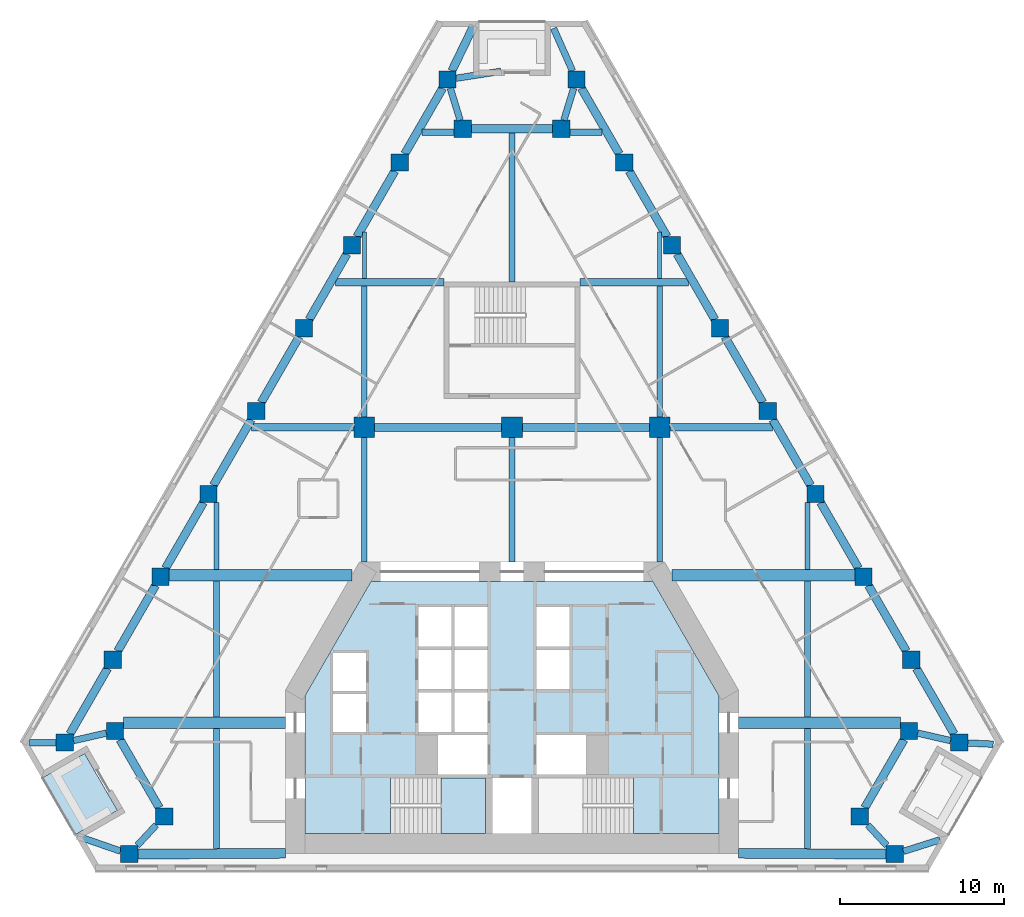
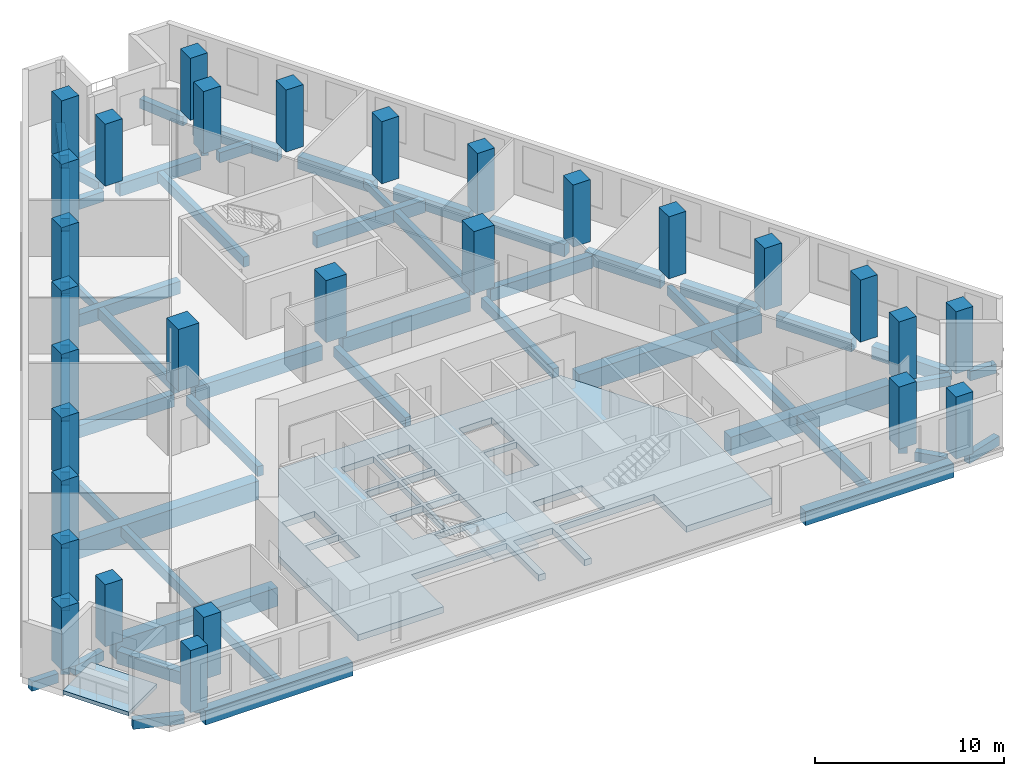
# One storey, part 1 of 10: 60 beams, 29 columns, 3 slabs, 1 element without a shape of its own.
"""IFC4 building model written with IfcOpenShell, lengths in metres."""

from ifc_helpers import new_model, si_unit, direction, frame, origin, origin_2d, place, context, subcontext, project, spatial, polyline, rectangle, outline, extrude, material, layer, layer_set, material_profile, profile_set, type_object, element, aggregate, save


model = new_model("IFC4")

# Units and contexts
model_context = context("Model", 3, precision=1e-05, world=origin(), true_north=direction((0.0, 1.0)))
body_context = subcontext(model_context, "Body", "Model", "MODEL_VIEW")
ifc_project = project(units=[si_unit("LENGTHUNIT", "METRE"), si_unit("AREAUNIT", "SQUARE_METRE"), si_unit("VOLUMEUNIT", "CUBIC_METRE"), si_unit("PLANEANGLEUNIT", "RADIAN"), si_unit("MASSUNIT", "GRAM", prefix="KILO")], contexts=[model_context])

# Site, building, storey
site_placement = place(None, origin())
site = spatial("IfcSite", under=ifc_project, at=site_placement, CompositionType="ELEMENT")
building_placement = place(site_placement, origin())
building = spatial("IfcBuilding", under=site, at=building_placement, Name="Fogline Exchange Tower", CompositionType="ELEMENT")
storey_placement = place(building_placement, frame((0.0, 0.0, 124.10009765625)))
storey = spatial("IfcBuildingStorey", under=building, at=storey_placement, Name="L27", CompositionType="ELEMENT", Elevation=124.10009765625)

# Columns
ifc_material_1 = material(Name="Concrete C70", Category="concrete")
ifc_material_profile_1 = material_profile(ifc_material_1, rectangle(XDim=1.25, YDim=1.25, at=origin_2d()), Name="RC 1250x1250")
ifc_profile_set_1 = profile_set([ifc_material_profile_1], Name="Concrete C70")
column_type_1 = type_object("IfcColumnType", Name="C03", PredefinedType="COLUMN", material=ifc_profile_set_1)
for number, where, z_axis, x_axis, name in (
    (1, (-9.0, 27.0, 0.0), (0.0, 0.0, 1.0), (1.0, 0.0, 0.0), "IC--9-27"),
    (2, (0.0, 27.0, 0.0), (0.0, 0.0, 1.0), (1.0, 0.0, 0.0), "IC-0-27"),
    (3, (9.0, 27.0, 0.0), (0.0, 0.0, 1.0), (1.0, 0.0, 0.0), "IC-9-27"),
):
    element("IfcColumn", number, at=place(storey_placement, frame(where, z_axis=z_axis, x_axis=x_axis)), inside=storey, type_object=column_type_1, Name=name, PredefinedType="COLUMN", context=body_context, shape_type="SweptSolid", body=[
        extrude(rectangle(XDim=1.25, YDim=1.25, at=origin_2d()), origin(), (0.0, 0.0, 1.0), 4.0),
    ])
ifc_material_profile_2 = material_profile(ifc_material_1, rectangle(XDim=1.050048828125, YDim=1.050048828125, at=origin_2d()), Name="RC 1050x1050")
ifc_profile_set_2 = profile_set([ifc_material_profile_2], Name="Concrete C70")
column_type_2 = type_object("IfcColumnType", Name="C04", PredefinedType="COLUMN", material=ifc_profile_set_2)
for number, where, z_axis, x_axis, name in (
    (4, (-27.2490234375, 7.794189453125, 0.0), (0.0, 0.0, 1.0), (1.0, 0.0, 0.0), "SW-a"),
    (5, (-24.189697265625, 8.4951171875, 0.0), (0.0, 0.0, 1.0), (1.0, 0.0, 0.0), "SW-p4"),
    (6, (-21.189697265625, 3.299072265625, 0.0), (0.0, 0.0, 1.0), (1.0, 0.0, 0.0), "SW-p3"),
    (7, (-23.326416015625, 1.0, 0.0), (0.0, 0.0, 1.0), (1.0, 0.0, 0.0), "SW-b"),
    (8, (23.326416015625, 1.0, 0.0), (0.0, 0.0, 1.0), (1.0, 0.0, 0.0), "SE-a"),
    (9, (21.189697265625, 3.299072265625, 0.0), (0.0, 0.0, 1.0), (1.0, 0.0, 0.0), "SE-p4"),
    (10, (24.189697265625, 8.4951171875, 0.0), (0.0, 0.0, 1.0), (1.0, 0.0, 0.0), "SE-p3"),
    (11, (27.2490234375, 7.794189453125, 0.0), (0.0, 0.0, 1.0), (1.0, 0.0, 0.0), "SE-b"),
    (12, (24.333251953125, 12.844482421875, 0.0), (0.0, 0.0, 1.0), (1.0, 0.0, 0.0), "E1"),
    (13, (21.41748046875, 17.894775390625, 0.0), (0.0, 0.0, 1.0), (1.0, 0.0, 0.0), "E2"),
    (14, (18.501708984375, 22.945068359375, 0.0), (0.0, 0.0, 1.0), (1.0, 0.0, 0.0), "E3"),
    (15, (15.585693359375, 27.995361328125, 0.0), (0.0, 0.0, 1.0), (1.0, 0.0, 0.0), "E4"),
    (16, (12.669921875, 33.045654296875, 0.0), (0.0, 0.0, 1.0), (1.0, 0.0, 0.0), "E5"),
    (17, (9.754150390625, 38.095947265625, 0.0), (0.0, 0.0, 1.0), (1.0, 0.0, 0.0), "E6"),
    (18, (6.83837890625, 43.146240234375, 0.0), (0.0, 0.0, 1.0), (1.0, 0.0, 0.0), "E7"),
    (19, (3.922607421875, 48.19677734375, 0.0), (0.0, 0.0, 1.0), (1.0, 0.0, 0.0), "N-a"),
    (20, (3.0, 45.19677734375, 0.0), (0.0, 0.0, 1.0), (1.0, 0.0, 0.0), "N-p4"),
    (21, (-3.0, 45.19677734375, 0.0), (0.0, 0.0, 1.0), (1.0, 0.0, 0.0), "N-p3"),
    (22, (-3.922607421875, 48.19677734375, 0.0), (0.0, 0.0, 1.0), (1.0, 0.0, 0.0), "N-b"),
    (23, (-6.83837890625, 43.146240234375, 0.0), (0.0, 0.0, 1.0), (1.0, 0.0, 0.0), "W1"),
    (24, (-9.754150390625, 38.095947265625, 0.0), (0.0, 0.0, 1.0), (1.0, 0.0, 0.0), "W2"),
    (25, (-12.669921875, 33.045654296875, 0.0), (0.0, 0.0, 1.0), (1.0, 0.0, 0.0), "W3"),
    (26, (-15.585693359375, 27.995361328125, 0.0), (0.0, 0.0, 1.0), (1.0, 0.0, 0.0), "W4"),
    (27, (-18.501708984375, 22.945068359375, 0.0), (0.0, 0.0, 1.0), (1.0, 0.0, 0.0), "W5"),
    (28, (-21.41748046875, 17.894775390625, 0.0), (0.0, 0.0, 1.0), (1.0, 0.0, 0.0), "W6"),
    (29, (-24.333251953125, 12.844482421875, 0.0), (0.0, 0.0, 1.0), (1.0, 0.0, 0.0), "W7"),
):
    element("IfcColumn", number, at=place(storey_placement, frame(where, z_axis=z_axis, x_axis=x_axis)), inside=storey, type_object=column_type_2, Name=name, PredefinedType="COLUMN", context=body_context, shape_type="SweptSolid", body=[
        extrude(rectangle(XDim=1.050048828125, YDim=1.050048828125, at=origin_2d()), origin(), (0.0, 0.0, 1.0), 4.0),
    ])

# Beams
ifc_material_2 = material(Name="Concrete C40", Category="concrete")
ifc_material_profile_3 = material_profile(ifc_material_2, rectangle(XDim=0.300048828125, YDim=0.60009765625, at=origin_2d()), Name="RC 300x600")
ifc_profile_set_3 = profile_set([ifc_material_profile_3], Name="Concrete C40")
beam_type_1 = type_object("IfcBeamType", Name="B06", PredefinedType="BEAM", material=ifc_profile_set_3)
for number, where, z_axis, x_axis, name in (
    (30, (-18.0, 18.35009765625, -0.7001953125), (0.0, 1.0, 0.0), (-1.0, 0.0, 0.0), "SB003"),
    (31, (18.0, 18.35009765625, -0.7001953125), (0.0, 1.0, 0.0), (-1.0, 0.0, 0.0), "SB014"),
):
    element("IfcBeam", number, at=place(storey_placement, frame(where, z_axis=z_axis, x_axis=x_axis)), inside=storey, type_object=beam_type_1, Name=name, PredefinedType="BEAM", context=body_context, shape_type="SweptSolid", body=[
        extrude(rectangle(XDim=0.300048828125, YDim=0.60009765625, at=origin_2d()), origin(), (0.0, 0.0, 1.0), 4.070068359375),
    ])
ifc_material_profile_4 = material_profile(ifc_material_2, rectangle(XDim=0.25, YDim=0.5, at=origin_2d()), Name="RC 250x500")
ifc_profile_set_4 = profile_set([ifc_material_profile_4], Name="Concrete C40")
beam_type_2 = type_object("IfcBeamType", Name="B08", PredefinedType="BEAM", material=ifc_profile_set_4)
for number, where, z_axis, x_axis, name in (
    (32, (-9.0, 36.08203125, -0.650146484375), (0.0, 1.0, 0.0), (-1.0, 0.0, 0.0), "SB006"),
    (33, (9.0, 36.08203125, -0.650146484375), (0.0, 1.0, 0.0), (-1.0, 0.0, 0.0), "SB011"),
):
    element("IfcBeam", number, at=place(storey_placement, frame(where, z_axis=z_axis, x_axis=x_axis)), inside=storey, type_object=beam_type_2, Name=name, PredefinedType="BEAM", context=body_context, shape_type="SweptSolid", body=[
        extrude(rectangle(XDim=0.25, YDim=0.5, at=origin_2d()), origin(), (0.0, 0.0, 1.0), 2.8203125),
    ])
ifc_material_profile_5 = material_profile(ifc_material_2, rectangle(XDim=0.60009765625, YDim=0.89990234375, at=origin_2d()), Name="RC 600x900")
ifc_profile_set_5 = profile_set([ifc_material_profile_5], Name="Concrete C40")
beam_type_3 = type_object("IfcBeamType", Name="B09", PredefinedType="BEAM", material=ifc_profile_set_5)
for number, where, z_axis, x_axis, name in (
    (34, (-22.801513671875, 1.0, -0.85009765625), (0.999984543136, 0.005559990001, 0.0), (-0.005559990001, 0.999984543136, 0.0), "RB004"),
    (35, (13.800048828125, 1.050048828125, -0.85009765625), (0.999984543136, -0.005559990001, 0.0), (0.005559990001, 0.999984543136, 0.0), "RB005"),
):
    element("IfcBeam", number, at=place(storey_placement, frame(where, z_axis=z_axis, x_axis=x_axis)), inside=storey, type_object=beam_type_3, Name=name, PredefinedType="BEAM", context=body_context, shape_type="SweptSolid", body=[
        extrude(rectangle(XDim=0.60009765625, YDim=0.89990234375, at=origin_2d()), origin(), (0.0, 0.0, 1.0), 9.001708984375),
    ])
ifc_material_profile_6 = material_profile(ifc_material_2, rectangle(XDim=0.5, YDim=0.800048828125, at=origin_2d()), Name="RC 500x800")
ifc_profile_set_6 = profile_set([ifc_material_profile_6], Name="Concrete C40")
beam_type_4 = type_object("IfcBeamType", Name="B10", PredefinedType="BEAM", material=ifc_profile_set_6)
for number, where, z_axis, x_axis, name in (
    (36, (-23.886474609375, 7.97021484375, -0.800048828125), (0.499994660107, -0.866028486751, 0.0), (0.866028486751, 0.499994660107, 0.0), "RB002"),
    (37, (21.49267578125, 3.823974609375, -0.800048828125), (0.499994660107, 0.866028486751, 0.0), (-0.866028486751, 0.499994660107, 0.0), "RB007"),
):
    element("IfcBeam", number, at=place(storey_placement, frame(where, z_axis=z_axis, x_axis=x_axis)), inside=storey, type_object=beam_type_4, Name=name, PredefinedType="BEAM", context=body_context, shape_type="SweptSolid", body=[
        extrude(rectangle(XDim=0.5, YDim=0.800048828125, at=origin_2d()), origin(), (0.0, 0.0, 1.0), 4.78759765625),
    ])
for number, where, z_axis, x_axis, name in (
    (38, (26.94580078125, 8.319091796875, -0.800048828125), (-0.499981705991, 0.866035965578, 0.0), (-0.866035965578, -0.499981705991, 0.0), "RB009"),
    (39, (24.030029296875, 13.369384765625, -0.800048828125), (-0.499981705991, 0.866035965578, 0.0), (-0.866035965578, -0.499981705991, 0.0), "RB010"),
):
    element("IfcBeam", number, at=place(storey_placement, frame(where, z_axis=z_axis, x_axis=x_axis)), inside=storey, type_object=beam_type_4, Name=name, PredefinedType="BEAM", context=body_context, shape_type="SweptSolid", body=[
        extrude(rectangle(XDim=0.5, YDim=0.800048828125, at=origin_2d()), origin(), (0.0, 0.0, 1.0), 4.619384765625),
    ])
for number, where, z_axis, x_axis, name in (
    (40, (21.1142578125, 18.419921875, -0.800048828125), (-0.500004591975, 0.86602275259, 0.0), (-0.86602275259, -0.500004591975, 0.0), "RB011"),
    (41, (18.198486328125, 23.47021484375, -0.800048828125), (-0.500004591975, 0.86602275259, 0.0), (-0.86602275259, -0.500004591975, 0.0), "RB012"),
    (42, (15.28271484375, 28.5205078125, -0.800048828125), (-0.500004591975, 0.86602275259, 0.0), (-0.86602275259, -0.500004591975, 0.0), "RB013"),
    (43, (12.366943359375, 33.57080078125, -0.800048828125), (-0.500004591975, 0.86602275259, 0.0), (-0.86602275259, -0.500004591975, 0.0), "RB014"),
    (44, (9.451171875, 38.62109375, -0.800048828125), (-0.500004591975, 0.86602275259, 0.0), (-0.86602275259, -0.500004591975, 0.0), "RB015"),
    (45, (6.535400390625, 43.67138671875, -0.800048828125), (-0.500004591975, 0.86602275259, 0.0), (-0.86602275259, -0.500004591975, 0.0), "RB016"),
):
    element("IfcBeam", number, at=place(storey_placement, frame(where, z_axis=z_axis, x_axis=x_axis)), inside=storey, type_object=beam_type_4, Name=name, PredefinedType="BEAM", context=body_context, shape_type="SweptSolid", body=[
        extrude(rectangle(XDim=0.5, YDim=0.800048828125, at=origin_2d()), origin(), (0.0, 0.0, 1.0), 4.619140625),
    ])
beam_1_placement = place(storey_placement, frame((2.47509765625, 45.19677734375, -0.800048828125), z_axis=(-1.0, 0.0, 0.0), x_axis=(0.0, -1.0, 0.0)))
element("IfcBeam", 46, at=beam_1_placement, inside=storey, type_object=beam_type_4, Name="RB018", PredefinedType="BEAM", context=body_context, shape_type="SweptSolid", body=[
    extrude(rectangle(XDim=0.5, YDim=0.800048828125, at=origin_2d()), origin(), (0.0, 0.0, 1.0), 4.9501953125),
])
for number, where, z_axis, x_axis, name in (
    (47, (-4.225830078125, 47.671630859375, -0.800048828125), (-0.500004591975, -0.86602275259, 0.0), (0.86602275259, -0.500004591975, 0.0), "RB020"),
    (48, (-7.1416015625, 42.621337890625, -0.800048828125), (-0.500004591975, -0.86602275259, 0.0), (0.86602275259, -0.500004591975, 0.0), "RB021"),
    (49, (-10.057373046875, 37.571044921875, -0.800048828125), (-0.500004591975, -0.86602275259, 0.0), (0.86602275259, -0.500004591975, 0.0), "RB022"),
    (50, (-12.97314453125, 32.520751953125, -0.800048828125), (-0.500004591975, -0.86602275259, 0.0), (0.86602275259, -0.500004591975, 0.0), "RB023"),
    (51, (-15.888916015625, 27.470458984375, -0.800048828125), (-0.500004591975, -0.86602275259, 0.0), (0.86602275259, -0.500004591975, 0.0), "RB024"),
    (52, (-18.8046875, 22.420166015625, -0.800048828125), (-0.500004591975, -0.86602275259, 0.0), (0.86602275259, -0.500004591975, 0.0), "RB025"),
):
    element("IfcBeam", number, at=place(storey_placement, frame(where, z_axis=z_axis, x_axis=x_axis)), inside=storey, type_object=beam_type_4, Name=name, PredefinedType="BEAM", context=body_context, shape_type="SweptSolid", body=[
        extrude(rectangle(XDim=0.5, YDim=0.800048828125, at=origin_2d()), origin(), (0.0, 0.0, 1.0), 4.619140625),
    ])
for number, where, z_axis, x_axis, name in (
    (53, (-21.720458984375, 17.369873046875, -0.800048828125), (-0.499981705991, -0.866035965578, 0.0), (0.866035965578, -0.499981705991, 0.0), "RB026"),
    (54, (-24.63623046875, 12.319580078125, -0.800048828125), (-0.499981705991, -0.866035965578, 0.0), (0.866035965578, -0.499981705991, 0.0), "RB027"),
):
    element("IfcBeam", number, at=place(storey_placement, frame(where, z_axis=z_axis, x_axis=x_axis)), inside=storey, type_object=beam_type_4, Name=name, PredefinedType="BEAM", context=body_context, shape_type="SweptSolid", body=[
        extrude(rectangle(XDim=0.5, YDim=0.800048828125, at=origin_2d()), origin(), (0.0, 0.0, 1.0), 4.619384765625),
    ])
beam_2_placement = place(storey_placement, frame((-3.66845703125, 48.7216796875, -0.800048828125), z_axis=(0.435646731916, 0.900117728395, 0.0), x_axis=(-0.900117728395, 0.435646731916, 0.0)))
element("IfcBeam", 55, at=beam_2_placement, inside=storey, type_object=beam_type_4, Name="SP028", PredefinedType="BEAM", context=body_context, shape_type="SweptSolid", body=[
    extrude(rectangle(XDim=0.5, YDim=0.800048828125, at=origin_2d()), origin(), (0.0, 0.0, 1.0), 3.049072265625),
])
ifc_material_profile_7 = material_profile(ifc_material_2, rectangle(XDim=0.39990234375, YDim=0.60009765625, at=origin_2d()), Name="RC 400x600")
ifc_profile_set_7 = profile_set([ifc_material_profile_7], Name="Concrete C40")
beam_type_5 = type_object("IfcBeamType", Name="B11", PredefinedType="BEAM", material=ifc_profile_set_7)
beam_3_placement = place(storey_placement, frame((-26.72412109375, 7.91455078125, -0.7001953125), z_axis=(0.974739301343, 0.223345683676, 0.0), x_axis=(-0.223345683676, 0.974739301343, 0.0)))
element("IfcBeam", 56, at=beam_3_placement, inside=storey, type_object=beam_type_5, Name="RB001", PredefinedType="BEAM", context=body_context, shape_type="SweptSolid", body=[
    extrude(rectangle(XDim=0.39990234375, YDim=0.60009765625, at=origin_2d()), origin(), (0.0, 0.0, 1.0), 2.0615234375),
])
for number, where, z_axis, x_axis, name in (
    (57, (-21.677490234375, 2.77392578125, -0.7001953125), (-0.680791505026, -0.732477253357, 0.0), (0.732477253357, -0.680791505026, 0.0), "RB003"),
    (58, (22.83837890625, 1.52490234375, -0.7001953125), (-0.680791505026, 0.732477253357, 0.0), (-0.732477253357, -0.680791505026, 0.0), "RB006"),
):
    element("IfcBeam", number, at=place(storey_placement, frame(where, z_axis=z_axis, x_axis=x_axis)), inside=storey, type_object=beam_type_5, Name=name, PredefinedType="BEAM", context=body_context, shape_type="SweptSolid", body=[
        extrude(rectangle(XDim=0.39990234375, YDim=0.60009765625, at=origin_2d()), origin(), (0.0, 0.0, 1.0), 1.705322265625),
    ])
beam_4_placement = place(storey_placement, frame((24.714599609375, 8.375, -0.7001953125), z_axis=(0.974739301343, -0.223345683676, 0.0), x_axis=(0.223345683676, 0.974739301343, 0.0)))
element("IfcBeam", 59, at=beam_4_placement, inside=storey, type_object=beam_type_5, Name="RB008", PredefinedType="BEAM", context=body_context, shape_type="SweptSolid", body=[
    extrude(rectangle(XDim=0.39990234375, YDim=0.60009765625, at=origin_2d()), origin(), (0.0, 0.0, 1.0), 2.0615234375),
])
for number, where, z_axis, x_axis, name in (
    (60, (3.76123046875, 47.671630859375, -0.7001953125), (-0.293917654764, -0.955830744545, 0.0), (0.955830744545, -0.293917654764, 0.0), "RB017"),
    (61, (-3.16162109375, 45.7216796875, -0.7001953125), (-0.293917654764, 0.955830744545, 0.0), (-0.955830744545, -0.293917654764, 0.0), "RB019"),
):
    element("IfcBeam", number, at=place(storey_placement, frame(where, z_axis=z_axis, x_axis=x_axis)), inside=storey, type_object=beam_type_5, Name=name, PredefinedType="BEAM", context=body_context, shape_type="SweptSolid", body=[
        extrude(rectangle(XDim=0.39990234375, YDim=0.60009765625, at=origin_2d()), origin(), (0.0, 0.0, 1.0), 2.0400390625),
    ])
beam_5_placement = place(storey_placement, frame((3.68896484375, 48.7216796875, -0.7001953125), z_axis=(-0.40658448242, 0.913613188749, 0.0), x_axis=(-0.913613188749, -0.40658448242, 0.0)))
element("IfcBeam", 62, at=beam_5_placement, inside=storey, type_object=beam_type_5, Name="SP029", PredefinedType="BEAM", context=body_context, shape_type="SweptSolid", body=[
    extrude(rectangle(XDim=0.39990234375, YDim=0.60009765625, at=origin_2d()), origin(), (0.0, 0.0, 1.0), 2.84375),
])
beam_6_placement = place(storey_placement, frame((-23.851318359375, 1.181884765625, -0.7001953125), z_axis=(-0.944879115194, 0.327419391102, 0.0), x_axis=(-0.327419391102, -0.944879115194, 0.0)))
element("IfcBeam", 63, at=beam_6_placement, inside=storey, type_object=beam_type_5, Name="SP030", PredefinedType="BEAM", context=body_context, shape_type="SweptSolid", body=[
    extrude(rectangle(XDim=0.39990234375, YDim=0.60009765625, at=origin_2d()), origin(), (0.0, 0.0, 1.0), 2.769287109375),
])
beam_7_placement = place(storey_placement, frame((23.851318359375, 1.166259765625, -0.7001953125), z_axis=(0.953366709253, 0.301814376211, 0.0), x_axis=(-0.301814376211, 0.953366709253, 0.0)))
element("IfcBeam", 64, at=beam_7_placement, inside=storey, type_object=beam_type_5, Name="SP031", PredefinedType="BEAM", context=body_context, shape_type="SweptSolid", body=[
    extrude(rectangle(XDim=0.39990234375, YDim=0.60009765625, at=origin_2d()), origin(), (0.0, 0.0, 1.0), 2.343505859375),
])
beam_8_placement = place(storey_placement, frame((-3.397705078125, 48.278076171875, -0.7001953125), z_axis=(0.988195883349, 0.153195613943, 0.0), x_axis=(-0.153195613943, 0.988195883349, 0.0)))
element("IfcBeam", 65, at=beam_8_placement, inside=storey, type_object=beam_type_5, Name="SP032", PredefinedType="BEAM", context=body_context, shape_type="SweptSolid", body=[
    extrude(rectangle(XDim=0.39990234375, YDim=0.60009765625, at=origin_2d()), origin(), (0.0, 0.0, 1.0), 2.75537109375),
])
beam_9_placement = place(storey_placement, frame((-27.77392578125, 7.794189453125, -0.7001953125), z_axis=(-1.0, 0.0, 0.0), x_axis=(0.0, -1.0, 0.0)))
element("IfcBeam", 66, at=beam_9_placement, inside=storey, type_object=beam_type_5, Name="SP033", PredefinedType="BEAM", context=body_context, shape_type="SweptSolid", body=[
    extrude(rectangle(XDim=0.39990234375, YDim=0.60009765625, at=origin_2d()), origin(), (0.0, 0.0, 1.0), 1.619384765625),
])
beam_10_placement = place(storey_placement, frame((27.77392578125, 7.76953125, -0.7001953125), z_axis=(0.99890029797, -0.046884909245, 0.0), x_axis=(0.046884909245, 0.99890029797, 0.0)))
element("IfcBeam", 67, at=beam_10_placement, inside=storey, type_object=beam_type_5, Name="SP034", PredefinedType="BEAM", context=body_context, shape_type="SweptSolid", body=[
    extrude(rectangle(XDim=0.39990234375, YDim=0.60009765625, at=origin_2d()), origin(), (0.0, 0.0, 1.0), 1.5517578125),
])
ifc_material_profile_8 = material_profile(ifc_material_2, rectangle(XDim=0.39990234375, YDim=0.64990234375, at=origin_2d()), Name="RC 400x650")
ifc_profile_set_8 = profile_set([ifc_material_profile_8], Name="Concrete C40")
beam_type_6 = type_object("IfcBeamType", Name="B13", PredefinedType="BEAM", material=ifc_profile_set_8)
for number, where, z_axis, x_axis, name in (
    (68, (-5.4794921875, 45.0, -0.72509765625), (1.0, 0.0, 0.0), (0.0, 1.0, 0.0), "GB011"),
    (69, (3.52490234375, 45.0, -0.72509765625), (1.0, 0.0, 0.0), (0.0, 1.0, 0.0), "GB012"),
):
    element("IfcBeam", number, at=place(storey_placement, frame(where, z_axis=z_axis, x_axis=x_axis)), inside=storey, type_object=beam_type_6, Name=name, PredefinedType="BEAM", context=body_context, shape_type="SweptSolid", body=[
        extrude(rectangle(XDim=0.39990234375, YDim=0.64990234375, at=origin_2d()), origin(), (0.0, 0.0, 1.0), 1.95458984375),
    ])
ifc_material_profile_9 = material_profile(ifc_material_2, rectangle(XDim=0.5, YDim=0.949951171875, at=origin_2d()), Name="RC 500x950")
ifc_profile_set_9 = profile_set([ifc_material_profile_9], Name="Concrete C40")
beam_type_7 = type_object("IfcBeamType", Name="B14", PredefinedType="BEAM", material=ifc_profile_set_9)
for number, where, z_axis, x_axis, name in (
    (70, (-8.375, 27.0, -0.875), (1.0, 0.0, 0.0), (0.0, 1.0, 0.0), "GB006"),
    (71, (0.625, 27.0, -0.875), (1.0, 0.0, 0.0), (0.0, 1.0, 0.0), "GB007"),
):
    element("IfcBeam", number, at=place(storey_placement, frame(where, z_axis=z_axis, x_axis=x_axis)), inside=storey, type_object=beam_type_7, Name=name, PredefinedType="BEAM", context=body_context, shape_type="SweptSolid", body=[
        extrude(rectangle(XDim=0.5, YDim=0.949951171875, at=origin_2d()), origin(), (0.0, 0.0, 1.0), 7.75),
    ])
ifc_material_profile_10 = material_profile(ifc_material_2, rectangle(XDim=0.35009765625, YDim=0.64990234375, at=origin_2d()), Name="RC 350x650")
ifc_profile_set_10 = profile_set([ifc_material_profile_10], Name="Concrete C40")
beam_type_8 = type_object("IfcBeamType", Name="B16", PredefinedType="BEAM", material=ifc_profile_set_10)
beam_11_placement = place(storey_placement, frame((-18.0, 1.327880859375, -0.72509765625), z_axis=(0.0, 1.0, 0.0), x_axis=(-1.0, 0.0, 0.0)))
element("IfcBeam", 72, at=beam_11_placement, inside=storey, type_object=beam_type_8, Name="SB001", PredefinedType="BEAM", context=body_context, shape_type="SweptSolid", body=[
    extrude(rectangle(XDim=0.35009765625, YDim=0.64990234375, at=origin_2d()), origin(), (0.0, 0.0, 1.0), 7.322021484375),
])
beam_12_placement = place(storey_placement, frame((-18.0, 9.35009765625, -0.72509765625), z_axis=(0.0, 1.0, 0.0), x_axis=(-1.0, 0.0, 0.0)))
element("IfcBeam", 73, at=beam_12_placement, inside=storey, type_object=beam_type_8, Name="SB002", PredefinedType="BEAM", context=body_context, shape_type="SweptSolid", body=[
    extrude(rectangle(XDim=0.35009765625, YDim=0.64990234375, at=origin_2d()), origin(), (0.0, 0.0, 1.0), 8.2998046875),
])
beam_13_placement = place(storey_placement, frame((-9.0, 18.800048828125, -0.72509765625), z_axis=(0.0, 1.0, 0.0), x_axis=(-1.0, 0.0, 0.0)))
element("IfcBeam", 74, at=beam_13_placement, inside=storey, type_object=beam_type_8, Name="SB004", PredefinedType="BEAM", context=body_context, shape_type="SweptSolid", body=[
    extrude(rectangle(XDim=0.35009765625, YDim=0.64990234375, at=origin_2d()), origin(), (0.0, 0.0, 1.0), 7.574951171875),
])
beam_14_placement = place(storey_placement, frame((-9.0, 27.625, -0.72509765625), z_axis=(0.0, 1.0, 0.0), x_axis=(-1.0, 0.0, 0.0)))
element("IfcBeam", 75, at=beam_14_placement, inside=storey, type_object=beam_type_8, Name="SB005", PredefinedType="BEAM", context=body_context, shape_type="SweptSolid", body=[
    extrude(rectangle(XDim=0.35009765625, YDim=0.64990234375, at=origin_2d()), origin(), (0.0, 0.0, 1.0), 8.007080078125),
])
beam_15_placement = place(storey_placement, frame((0.0, 18.800048828125, -0.72509765625), z_axis=(0.0, 1.0, 0.0), x_axis=(-1.0, 0.0, 0.0)))
element("IfcBeam", 76, at=beam_15_placement, inside=storey, type_object=beam_type_8, Name="SB007", PredefinedType="BEAM", context=body_context, shape_type="SweptSolid", body=[
    extrude(rectangle(XDim=0.35009765625, YDim=0.64990234375, at=origin_2d()), origin(), (0.0, 0.0, 1.0), 7.574951171875),
])
beam_16_placement = place(storey_placement, frame((0.0, 35.85693359375, -0.72509765625), z_axis=(0.0, 1.0, 0.0), x_axis=(-1.0, 0.0, 0.0)))
element("IfcBeam", 77, at=beam_16_placement, inside=storey, type_object=beam_type_8, Name="SB008", PredefinedType="BEAM", context=body_context, shape_type="SweptSolid", body=[
    extrude(rectangle(XDim=0.35009765625, YDim=0.64990234375, at=origin_2d()), origin(), (0.0, 0.0, 1.0), 9.08984375),
])
beam_17_placement = place(storey_placement, frame((9.0, 18.800048828125, -0.72509765625), z_axis=(0.0, 1.0, 0.0), x_axis=(-1.0, 0.0, 0.0)))
element("IfcBeam", 78, at=beam_17_placement, inside=storey, type_object=beam_type_8, Name="SB009", PredefinedType="BEAM", context=body_context, shape_type="SweptSolid", body=[
    extrude(rectangle(XDim=0.35009765625, YDim=0.64990234375, at=origin_2d()), origin(), (0.0, 0.0, 1.0), 7.574951171875),
])
beam_18_placement = place(storey_placement, frame((9.0, 27.625, -0.72509765625), z_axis=(0.0, 1.0, 0.0), x_axis=(-1.0, 0.0, 0.0)))
element("IfcBeam", 79, at=beam_18_placement, inside=storey, type_object=beam_type_8, Name="SB010", PredefinedType="BEAM", context=body_context, shape_type="SweptSolid", body=[
    extrude(rectangle(XDim=0.35009765625, YDim=0.64990234375, at=origin_2d()), origin(), (0.0, 0.0, 1.0), 8.007080078125),
])
beam_19_placement = place(storey_placement, frame((18.0, 1.327880859375, -0.72509765625), z_axis=(0.0, 1.0, 0.0), x_axis=(-1.0, 0.0, 0.0)))
element("IfcBeam", 80, at=beam_19_placement, inside=storey, type_object=beam_type_8, Name="SB012", PredefinedType="BEAM", context=body_context, shape_type="SweptSolid", body=[
    extrude(rectangle(XDim=0.35009765625, YDim=0.64990234375, at=origin_2d()), origin(), (0.0, 0.0, 1.0), 7.322021484375),
])
beam_20_placement = place(storey_placement, frame((18.0, 9.35009765625, -0.72509765625), z_axis=(0.0, 1.0, 0.0), x_axis=(-1.0, 0.0, 0.0)))
element("IfcBeam", 81, at=beam_20_placement, inside=storey, type_object=beam_type_8, Name="SB013", PredefinedType="BEAM", context=body_context, shape_type="SweptSolid", body=[
    extrude(rectangle(XDim=0.35009765625, YDim=0.64990234375, at=origin_2d()), origin(), (0.0, 0.0, 1.0), 8.2998046875),
])
ifc_material_profile_11 = material_profile(ifc_material_2, rectangle(XDim=0.699951171875, YDim=1.199951171875, at=origin_2d()), Name="RC 700x1200")
ifc_profile_set_11 = profile_set([ifc_material_profile_11], Name="Concrete C40")
beam_type_9 = type_object("IfcBeamType", Name="B17", PredefinedType="BEAM", material=ifc_profile_set_11)
for number, where, z_axis, x_axis, name in (
    (82, (-23.66455078125, 9.0, -1.0), (1.0, 0.0, 0.0), (0.0, 1.0, 0.0), "GB001"),
    (83, (13.800048828125, 9.0, -1.0), (1.0, 0.0, 0.0), (0.0, 1.0, 0.0), "GB002"),
):
    element("IfcBeam", number, at=place(storey_placement, frame(where, z_axis=z_axis, x_axis=x_axis)), inside=storey, type_object=beam_type_9, Name=name, PredefinedType="BEAM", context=body_context, shape_type="SweptSolid", body=[
        extrude(rectangle(XDim=0.699951171875, YDim=1.199951171875, at=origin_2d()), origin(), (0.0, 0.0, 1.0), 9.864501953125),
    ])
for number, where, z_axis, x_axis, name in (
    (84, (-20.892333984375, 18.0, -1.0), (1.0, 0.0, 0.0), (0.0, 1.0, 0.0), "GB003"),
    (85, (9.758056640625, 18.0, -1.0), (1.0, 0.0, 0.0), (0.0, 1.0, 0.0), "GB004"),
):
    element("IfcBeam", number, at=place(storey_placement, frame(where, z_axis=z_axis, x_axis=x_axis)), inside=storey, type_object=beam_type_9, Name=name, PredefinedType="BEAM", context=body_context, shape_type="SweptSolid", body=[
        extrude(rectangle(XDim=0.699951171875, YDim=1.199951171875, at=origin_2d()), origin(), (0.0, 0.0, 1.0), 11.13427734375),
    ])
ifc_material_profile_12 = material_profile(ifc_material_2, rectangle(XDim=0.449951171875, YDim=0.800048828125, at=origin_2d()), Name="RC 450x800")
ifc_profile_set_12 = profile_set([ifc_material_profile_12], Name="Concrete C40")
beam_type_10 = type_object("IfcBeamType", Name="B18", PredefinedType="BEAM", material=ifc_profile_set_12)
for number, where, z_axis, x_axis, name in (
    (86, (-15.871826171875, 27.0, -0.800048828125), (1.0, 0.0, 0.0), (0.0, 1.0, 0.0), "GB005"),
    (87, (9.625, 27.0, -0.800048828125), (1.0, 0.0, 0.0), (0.0, 1.0, 0.0), "GB008"),
):
    element("IfcBeam", number, at=place(storey_placement, frame(where, z_axis=z_axis, x_axis=x_axis)), inside=storey, type_object=beam_type_10, Name=name, PredefinedType="BEAM", context=body_context, shape_type="SweptSolid", body=[
        extrude(rectangle(XDim=0.449951171875, YDim=0.800048828125, at=origin_2d()), origin(), (0.0, 0.0, 1.0), 6.246826171875),
    ])
for number, where, z_axis, x_axis, name in (
    (88, (-10.75830078125, 35.85693359375, -0.800048828125), (1.0, 0.0, 0.0), (0.0, 1.0, 0.0), "GB009"),
    (89, (4.14990234375, 35.85693359375, -0.800048828125), (1.0, 0.0, 0.0), (0.0, 1.0, 0.0), "GB010"),
):
    element("IfcBeam", number, at=place(storey_placement, frame(where, z_axis=z_axis, x_axis=x_axis)), inside=storey, type_object=beam_type_10, Name=name, PredefinedType="BEAM", context=body_context, shape_type="SweptSolid", body=[
        extrude(rectangle(XDim=0.449951171875, YDim=0.800048828125, at=origin_2d()), origin(), (0.0, 0.0, 1.0), 6.6083984375),
    ])

# Slabs
ifc_layer_1 = layer(ifc_material_2, 0.25)
ifc_layer_set_1 = layer_set([ifc_layer_1], Name="DK1")
slab_type_1 = type_object("IfcSlabType", Name="DK1", PredefinedType="FLOOR", material=ifc_layer_set_1)
slab_1_placement = place(storey_placement, frame((0.0, 0.0, -0.25)))
element("IfcSlab", 90, at=slab_1_placement, inside=storey, type_object=slab_type_1, Name="Balcony L27 SW", PredefinedType="FLOOR", context=body_context, shape_type="SweptSolid", body=[
    extrude(outline(polyline([(-28.643310546875, 5.629150390625), (-26.643310546875, 2.1650390625), (-24.045166015625, 3.6650390625), (-26.045166015625, 7.129150390625), (-28.643310546875, 5.629150390625)])), origin(), (0.0, 0.0, 1.0), 0.25),
])
ifc_layer_2 = layer(ifc_material_2, 0.39990234375)
ifc_layer_set_2 = layer_set([ifc_layer_2], Name="S03")
slab_type_2 = type_object("IfcSlabType", Name="S03", PredefinedType="FLOOR", material=ifc_layer_set_2)
slab_2_placement = place(storey_placement, frame((0.0, 0.0, -0.400146484375)))
element("IfcSlab", 91, at=slab_2_placement, inside=storey, type_object=slab_type_2, Name="Core floor slab", PredefinedType="FLOOR", context=body_context, shape_type="SweptSolid", body=[
    extrude(outline(polyline([(-12.60009765625, 2.25), (-12.60009765625, 10.677490234375), (-8.603271484375, 17.60009765625), (8.603271484375, 17.60009765625), (12.60009765625, 10.677490234375), (12.60009765625, 2.25), (7.389892578125, 2.25), (7.389892578125, 5.64990234375), (1.60009765625, 5.64990234375), (1.60009765625, 2.25), (1.199951171875, 2.25), (1.199951171875, 5.64990234375), (-1.199951171875, 5.64990234375), (-1.199951171875, 2.25), (-1.60009765625, 2.25), (-1.60009765625, 5.64990234375), (-7.389892578125, 5.64990234375), (-7.389892578125, 2.25), (-12.60009765625, 2.25)]), holes=[polyline([(-1.5, 8.25), (-4.5, 8.25), (-4.5, 5.85009765625), (-1.5, 5.85009765625), (-1.5, 8.25)]), polyline([(-8.89990234375, 10.75), (-10.89990234375, 10.75), (-10.89990234375, 8.449951171875), (-8.89990234375, 8.449951171875), (-8.89990234375, 10.75)]), polyline([(-3.699951171875, 10.85009765625), (-5.699951171875, 10.85009765625), (-5.699951171875, 8.449951171875), (-3.699951171875, 8.449951171875), (-3.699951171875, 10.85009765625)]), polyline([(-1.5, 10.85009765625), (-3.5, 10.85009765625), (-3.5, 8.449951171875), (-1.5, 8.449951171875), (-1.5, 10.85009765625)]), polyline([(-8.89990234375, 13.25), (-10.89990234375, 13.25), (-10.89990234375, 10.949951171875), (-8.89990234375, 10.949951171875), (-8.89990234375, 13.25)]), polyline([(-3.699951171875, 13.449951171875), (-5.699951171875, 13.449951171875), (-5.699951171875, 11.050048828125), (-3.699951171875, 11.050048828125), (-3.699951171875, 13.449951171875)]), polyline([(-3.699951171875, 16.050048828125), (-5.699951171875, 16.050048828125), (-5.699951171875, 13.64990234375), (-3.699951171875, 13.64990234375), (-3.699951171875, 16.050048828125)]), polyline([(4.5, 8.25), (1.5, 8.25), (1.5, 5.85009765625), (4.5, 5.85009765625), (4.5, 8.25)]), polyline([(-1.5, 13.449951171875), (-3.5, 13.449951171875), (-3.5, 11.050048828125), (-1.5, 11.050048828125), (-1.5, 13.449951171875)]), polyline([(3.5, 13.449951171875), (1.5, 13.449951171875), (1.5, 11.050048828125), (3.5, 11.050048828125), (3.5, 13.449951171875)]), polyline([(-1.5, 16.050048828125), (-3.5, 16.050048828125), (-3.5, 13.64990234375), (-1.5, 13.64990234375), (-1.5, 16.050048828125)]), polyline([(3.5, 16.050048828125), (1.5, 16.050048828125), (1.5, 13.64990234375), (3.5, 13.64990234375), (3.5, 16.050048828125)])]), origin(), (0.0, 0.0, 1.0), 0.400146484375),
])

# Stair, slab
stair_type = type_object("IfcStairType", Name="STR24-1667", PredefinedType="HALF_TURN_STAIR", material=ifc_material_2)
stair_placement = place(storey_placement, origin())
stair = element("IfcStair", 92, at=stair_placement, inside=storey, type_object=stair_type, Name="Stair ST1", PredefinedType="HALF_TURN_STAIR")
ifc_layer_3 = layer(ifc_material_2, 0.199951171875)
ifc_layer_set_3 = layer_set([ifc_layer_3], Name="SL200")
slab_type_3 = type_object("IfcSlabType", Name="SL200", PredefinedType="LANDING", material=ifc_layer_set_3)
slab_3_placement = place(storey_placement, frame((0.0, 0.0, 1.7998046875)))
slab_3 = element("IfcSlab", 93, at=slab_3_placement, type_object=slab_type_3, Name="ST1 landing 1", PredefinedType="LANDING", context=body_context, shape_type="SweptSolid", body=[
    extrude(outline(polyline([(-4.320068359375, 2.25), (-1.60009765625, 2.25), (-1.60009765625, 5.64990234375), (-4.320068359375, 5.64990234375), (-4.320068359375, 2.25)])), origin(), (0.0, 0.0, 1.0), 0.2001953125),
])
aggregate(stair, [slab_3])

save(model, "model.ifc")
